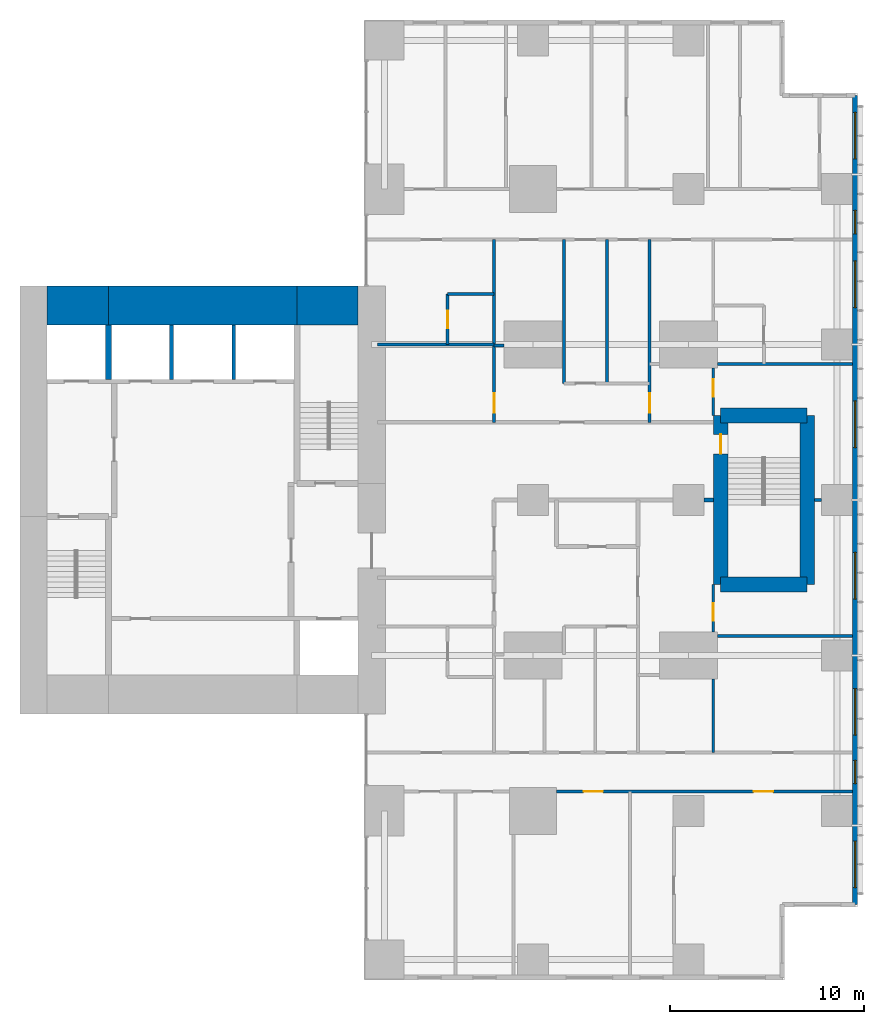
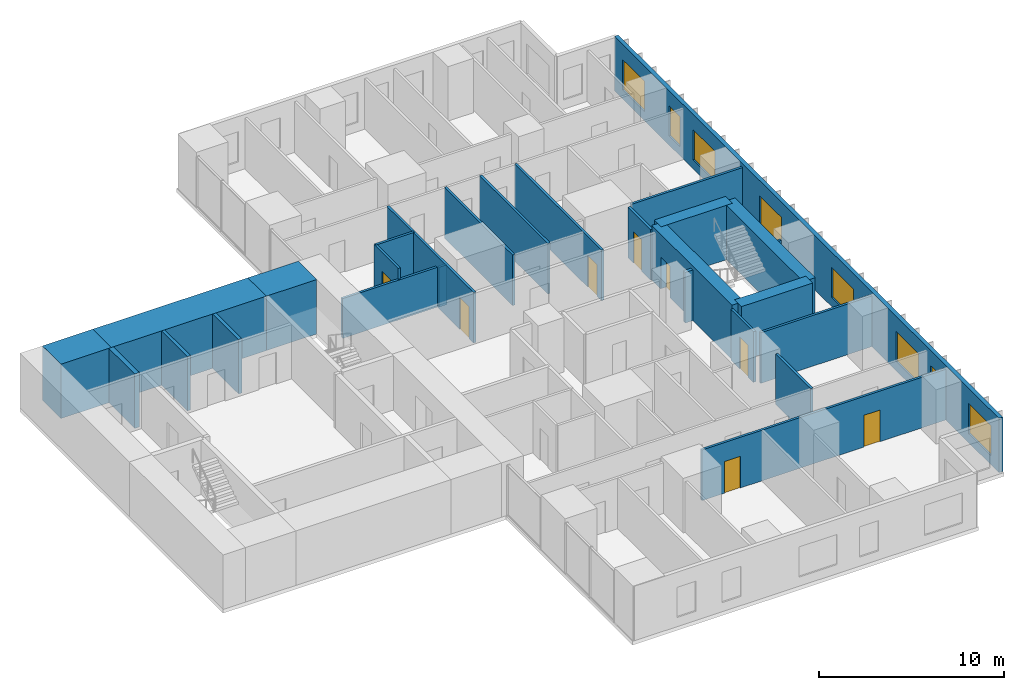
# One storey, part 9 of 12: 27 walls, 8 doors, 8 windows, 16 openings.
"""IFC4 building model written with IfcOpenShell, lengths in metres."""

from ifc_helpers import new_model, si_unit, direction, frame, frame_2d, origin, place, context, subcontext, project, spatial, rectangle, extrude, material, layer, layer_set, type_object, element, fill, save


model = new_model("IFC4")

# Units and contexts
model_context = context("Model", 3, precision=1e-05, world=origin(), true_north=direction((0.0, 1.0)))
body_context = subcontext(model_context, "Body", "Model", "MODEL_VIEW")
ifc_project = project(units=[si_unit("LENGTHUNIT", "METRE"), si_unit("AREAUNIT", "SQUARE_METRE"), si_unit("VOLUMEUNIT", "CUBIC_METRE"), si_unit("PLANEANGLEUNIT", "RADIAN"), si_unit("MASSUNIT", "GRAM", prefix="KILO")], contexts=[model_context])

# Site, building, storey
site_placement = place(None, origin())
site = spatial("IfcSite", under=ifc_project, at=site_placement, CompositionType="ELEMENT")
building_placement = place(site_placement, origin())
building = spatial("IfcBuilding", under=site, at=building_placement, Name="Cleftline Residences", CompositionType="ELEMENT")
storey_placement = place(building_placement, frame((0.0, 0.0, 234.0)))
storey = spatial("IfcBuildingStorey", under=building, at=storey_placement, Name="L61", CompositionType="ELEMENT", Elevation=234.0)

# Walls
ifc_material_1 = material(Name="Concrete B70", Category="concrete")
ifc_layer_1 = layer(ifc_material_1, 2.0)
ifc_layer_set_1 = layer_set([ifc_layer_1], Name="CORE WALL 2000")
wall_type_1 = type_object("IfcWallType", Name="CORE WALL 2000", PredefinedType="SHEAR", material=ifc_layer_set_1)
wall_1_placement = place(storey_placement, frame((25.0, 34.0, 0.0), z_axis=(0.0, 0.0, 1.0), x_axis=(1.0, 0.0, 0.0)))
element("IfcWall", 1, at=wall_1_placement, inside=storey, type_object=wall_type_1, Name="Core wall N1", PredefinedType="SHEAR", context=body_context, shape_type="SweptSolid", body=[
    extrude(rectangle(XDim=3.14990234375, YDim=2.0, at=frame_2d((1.574951171875, 0.0))), origin(), (0.0, 0.0, 1.0), 3.60009765625),
])
wall_2_placement = place(storey_placement, frame((28.14990234375, 34.0, 0.0), z_axis=(0.0, 0.0, 1.0), x_axis=(1.0, 0.0, 0.0)))
element("IfcWall", 2, at=wall_2_placement, inside=storey, type_object=wall_type_1, Name="Core wall N2", PredefinedType="SHEAR", context=body_context, shape_type="SweptSolid", body=[
    extrude(rectangle(XDim=9.7001953125, YDim=2.0, at=frame_2d((4.85009765625, 0.0))), origin(), (0.0, 0.0, 1.0), 3.60009765625),
])
wall_3_placement = place(storey_placement, frame((37.85009765625, 34.0, 0.0), z_axis=(0.0, 0.0, 1.0), x_axis=(1.0, 0.0, 0.0)))
element("IfcWall", 3, at=wall_3_placement, inside=storey, type_object=wall_type_1, Name="Core wall N3", PredefinedType="SHEAR", context=body_context, shape_type="SweptSolid", body=[
    extrude(rectangle(XDim=3.14990234375, YDim=2.0, at=frame_2d((1.574951171875, 0.0))), origin(), (0.0, 0.0, 1.0), 3.60009765625),
])
ifc_material_2 = material(Name="Concrete B70", Category="concrete")
ifc_layer_2 = layer(ifc_material_2, 0.300048828125)
ifc_layer_set_2 = layer_set([ifc_layer_2], Name="CORE WALL 300")
wall_type_2 = type_object("IfcWallType", Name="CORE WALL 300", PredefinedType="SHEAR", material=ifc_layer_set_2)
wall_4_placement = place(storey_placement, frame((28.14990234375, 30.199951171875, 0.0), z_axis=(0.0, 0.0, 1.0), x_axis=(0.0, 1.0, 0.0)))
element("IfcWall", 4, at=wall_4_placement, inside=storey, type_object=wall_type_2, Name="Lift shaft wall", PredefinedType="SHEAR", context=body_context, shape_type="SweptSolid", body=[
    extrude(rectangle(XDim=2.800048828125, YDim=0.300048828125, at=frame_2d((1.39990234375, 0.0))), origin(), (0.0, 0.0, 1.0), 3.60009765625),
])

# Wall, openings, windows
ifc_material_3 = material(Name="Rendered reinforced concrete blockwork", Category="masonry")
ifc_layer_3 = layer(ifc_material_3, 0.25)
ifc_layer_set_3 = layer_set([ifc_layer_3], Name="EXTERNAL WALL 250")
wall_type_3 = type_object("IfcWallType", Name="EXTERNAL WALL 250", PredefinedType="SOLIDWALL", material=ifc_layer_set_3)
wall_5_placement = place(storey_placement, frame((66.574951171875, 3.175048828125, 0.0), z_axis=(0.0, 0.0, 1.0), x_axis=(0.0, 1.0, 0.0)))
wall_5 = element("IfcWall", 5, at=wall_5_placement, inside=storey, type_object=wall_type_3, Name="External wall", PredefinedType="SOLIDWALL", context=body_context, shape_type="SweptSolid", body=[
    extrude(rectangle(XDim=41.64990234375, YDim=0.25, at=frame_2d((20.824951171875, 0.0))), origin(), (0.0, 0.0, 1.0), 3.60009765625),
])
opening_1_placement = place(wall_5_placement, frame((0.875, 0.0, 0.60009765625)))
opening_1 = element("IfcOpeningElement", 6, at=opening_1_placement, cuts=wall_5, Name="Opening W6", PredefinedType="OPENING", context=body_context, shape_type="SweptSolid", body=[
    extrude(rectangle(XDim=2.39990234375, YDim=2.0, at=frame_2d((1.199951171875, 1.0))), frame((0.0, 0.135009765625, 0.0), z_axis=(0.0, -1.0, 0.0), x_axis=(1.0, 0.0, 0.0)), (0.0, 0.0, 1.0), 0.27001953125),
])
opening_2_placement = place(wall_5_placement, frame((6.22509765625, 0.0, 0.60009765625)))
opening_2 = element("IfcOpeningElement", 7, at=opening_2_placement, cuts=wall_5, Name="Opening W8", PredefinedType="OPENING", context=body_context, shape_type="SweptSolid", body=[
    extrude(rectangle(XDim=1.199951171875, YDim=2.0, at=frame_2d((0.60009765625, 1.0))), frame((0.0, 0.135009765625, 0.0), z_axis=(0.0, -1.0, 0.0), x_axis=(1.0, 0.0, 0.0)), (0.0, 0.0, 1.0), 0.27001953125),
])
opening_3_placement = place(wall_5_placement, frame((8.72509765625, 0.0, 0.60009765625)))
opening_3 = element("IfcOpeningElement", 8, at=opening_3_placement, cuts=wall_5, Name="Opening W6", PredefinedType="OPENING", context=body_context, shape_type="SweptSolid", body=[
    extrude(rectangle(XDim=2.39990234375, YDim=2.0, at=frame_2d((1.199951171875, 1.0))), frame((0.0, 0.135009765625, 0.0), z_axis=(0.0, -1.0, 0.0), x_axis=(1.0, 0.0, 0.0)), (0.0, 0.0, 1.0), 0.27001953125),
])
opening_4_placement = place(wall_5_placement, frame((15.72509765625, 0.0, 0.60009765625)))
opening_4 = element("IfcOpeningElement", 9, at=opening_4_placement, cuts=wall_5, Name="Opening W6", PredefinedType="OPENING", context=body_context, shape_type="SweptSolid", body=[
    extrude(rectangle(XDim=2.39990234375, YDim=2.0, at=frame_2d((1.199951171875, 1.0))), frame((0.0, 0.135009765625, 0.0), z_axis=(0.0, -1.0, 0.0), x_axis=(1.0, 0.0, 0.0)), (0.0, 0.0, 1.0), 0.27001953125),
])
opening_5_placement = place(wall_5_placement, frame((23.52490234375, 0.0, 0.60009765625)))
opening_5 = element("IfcOpeningElement", 10, at=opening_5_placement, cuts=wall_5, Name="Opening W6", PredefinedType="OPENING", context=body_context, shape_type="SweptSolid", body=[
    extrude(rectangle(XDim=2.39990234375, YDim=2.0, at=frame_2d((1.199951171875, 1.0))), frame((0.0, 0.135009765625, 0.0), z_axis=(0.0, -1.0, 0.0), x_axis=(1.0, 0.0, 0.0)), (0.0, 0.0, 1.0), 0.27001953125),
])
opening_6_placement = place(wall_5_placement, frame((30.72509765625, 0.0, 0.60009765625)))
opening_6 = element("IfcOpeningElement", 11, at=opening_6_placement, cuts=wall_5, Name="Opening W6", PredefinedType="OPENING", context=body_context, shape_type="SweptSolid", body=[
    extrude(rectangle(XDim=2.39990234375, YDim=2.0, at=frame_2d((1.199951171875, 1.0))), frame((0.0, 0.135009765625, 0.0), z_axis=(0.0, -1.0, 0.0), x_axis=(1.0, 0.0, 0.0)), (0.0, 0.0, 1.0), 0.27001953125),
])
opening_7_placement = place(wall_5_placement, frame((34.52490234375, 0.0, 0.60009765625)))
opening_7 = element("IfcOpeningElement", 12, at=opening_7_placement, cuts=wall_5, Name="Opening W8", PredefinedType="OPENING", context=body_context, shape_type="SweptSolid", body=[
    extrude(rectangle(XDim=1.199951171875, YDim=2.0, at=frame_2d((0.60009765625, 1.0))), frame((0.0, 0.135009765625, 0.0), z_axis=(0.0, -1.0, 0.0), x_axis=(1.0, 0.0, 0.0)), (0.0, 0.0, 1.0), 0.27001953125),
])
opening_8_placement = place(wall_5_placement, frame((38.375, 0.0, 0.60009765625)))
opening_8 = element("IfcOpeningElement", 13, at=opening_8_placement, cuts=wall_5, Name="Opening W6", PredefinedType="OPENING", context=body_context, shape_type="SweptSolid", body=[
    extrude(rectangle(XDim=2.39990234375, YDim=2.0, at=frame_2d((1.199951171875, 1.0))), frame((0.0, 0.135009765625, 0.0), z_axis=(0.0, -1.0, 0.0), x_axis=(1.0, 0.0, 0.0)), (0.0, 0.0, 1.0), 0.27001953125),
])
ifc_material_4 = material(Name="Aluminium frame, clear double glazing", Category="aluminium")
window_type_1 = type_object("IfcWindowType", Name="WINDOW 1200X2000", PartitioningType="DOUBLE_PANEL_VERTICAL", PredefinedType="WINDOW", material=ifc_material_4)
window_1_placement = place(opening_2_placement, origin())
window_1 = element("IfcWindow", 14, at=window_1_placement, inside=storey, type_object=window_type_1, Name="Window", OverallHeight=2.0, OverallWidth=1.199951171875, PartitioningType="SINGLE_PANEL", PredefinedType="WINDOW", context=body_context, shape_type="SweptSolid", body=[
    extrude(rectangle(XDim=1.199951171875, YDim=2.0, at=frame_2d((0.60009765625, 1.0))), frame((0.0, 0.030029296875, 0.0), z_axis=(0.0, -1.0, 0.0), x_axis=(1.0, 0.0, 0.0)), (0.0, 0.0, 1.0), 0.06005859375),
])
fill(opening_2, window_1)
window_2_placement = place(opening_7_placement, origin())
window_2 = element("IfcWindow", 15, at=window_2_placement, inside=storey, type_object=window_type_1, Name="Window", OverallHeight=2.0, OverallWidth=1.199951171875, PartitioningType="SINGLE_PANEL", PredefinedType="WINDOW", context=body_context, shape_type="SweptSolid", body=[
    extrude(rectangle(XDim=1.199951171875, YDim=2.0, at=frame_2d((0.60009765625, 1.0))), frame((0.0, 0.030029296875, 0.0), z_axis=(0.0, -1.0, 0.0), x_axis=(1.0, 0.0, 0.0)), (0.0, 0.0, 1.0), 0.06005859375),
])
fill(opening_7, window_2)
ifc_material_5 = material(Name="Aluminium frame, clear double glazing", Category="aluminium")
window_type_2 = type_object("IfcWindowType", Name="WINDOW 2400X2000", PartitioningType="DOUBLE_PANEL_VERTICAL", PredefinedType="WINDOW", material=ifc_material_5)
window_3_placement = place(opening_1_placement, origin())
window_3 = element("IfcWindow", 16, at=window_3_placement, inside=storey, type_object=window_type_2, Name="Window", OverallHeight=2.0, OverallWidth=2.39990234375, PartitioningType="SINGLE_PANEL", PredefinedType="WINDOW", context=body_context, shape_type="SweptSolid", body=[
    extrude(rectangle(XDim=2.39990234375, YDim=2.0, at=frame_2d((1.199951171875, 1.0))), frame((0.0, 0.030029296875, 0.0), z_axis=(0.0, -1.0, 0.0), x_axis=(1.0, 0.0, 0.0)), (0.0, 0.0, 1.0), 0.06005859375),
])
fill(opening_1, window_3)
window_4_placement = place(opening_3_placement, origin())
window_4 = element("IfcWindow", 17, at=window_4_placement, inside=storey, type_object=window_type_2, Name="Window", OverallHeight=2.0, OverallWidth=2.39990234375, PartitioningType="SINGLE_PANEL", PredefinedType="WINDOW", context=body_context, shape_type="SweptSolid", body=[
    extrude(rectangle(XDim=2.39990234375, YDim=2.0, at=frame_2d((1.199951171875, 1.0))), frame((0.0, 0.030029296875, 0.0), z_axis=(0.0, -1.0, 0.0), x_axis=(1.0, 0.0, 0.0)), (0.0, 0.0, 1.0), 0.06005859375),
])
fill(opening_3, window_4)
window_5_placement = place(opening_4_placement, origin())
window_5 = element("IfcWindow", 18, at=window_5_placement, inside=storey, type_object=window_type_2, Name="Window", OverallHeight=2.0, OverallWidth=2.39990234375, PartitioningType="SINGLE_PANEL", PredefinedType="WINDOW", context=body_context, shape_type="SweptSolid", body=[
    extrude(rectangle(XDim=2.39990234375, YDim=2.0, at=frame_2d((1.199951171875, 1.0))), frame((0.0, 0.030029296875, 0.0), z_axis=(0.0, -1.0, 0.0), x_axis=(1.0, 0.0, 0.0)), (0.0, 0.0, 1.0), 0.06005859375),
])
fill(opening_4, window_5)
window_6_placement = place(opening_5_placement, origin())
window_6 = element("IfcWindow", 19, at=window_6_placement, inside=storey, type_object=window_type_2, Name="Window", OverallHeight=2.0, OverallWidth=2.39990234375, PartitioningType="SINGLE_PANEL", PredefinedType="WINDOW", context=body_context, shape_type="SweptSolid", body=[
    extrude(rectangle(XDim=2.39990234375, YDim=2.0, at=frame_2d((1.199951171875, 1.0))), frame((0.0, 0.030029296875, 0.0), z_axis=(0.0, -1.0, 0.0), x_axis=(1.0, 0.0, 0.0)), (0.0, 0.0, 1.0), 0.06005859375),
])
fill(opening_5, window_6)
window_7_placement = place(opening_6_placement, origin())
window_7 = element("IfcWindow", 20, at=window_7_placement, inside=storey, type_object=window_type_2, Name="Window", OverallHeight=2.0, OverallWidth=2.39990234375, PartitioningType="SINGLE_PANEL", PredefinedType="WINDOW", context=body_context, shape_type="SweptSolid", body=[
    extrude(rectangle(XDim=2.39990234375, YDim=2.0, at=frame_2d((1.199951171875, 1.0))), frame((0.0, 0.030029296875, 0.0), z_axis=(0.0, -1.0, 0.0), x_axis=(1.0, 0.0, 0.0)), (0.0, 0.0, 1.0), 0.06005859375),
])
fill(opening_6, window_7)
window_8_placement = place(opening_8_placement, origin())
window_8 = element("IfcWindow", 21, at=window_8_placement, inside=storey, type_object=window_type_2, Name="Window", OverallHeight=2.0, OverallWidth=2.39990234375, PartitioningType="SINGLE_PANEL", PredefinedType="WINDOW", context=body_context, shape_type="SweptSolid", body=[
    extrude(rectangle(XDim=2.39990234375, YDim=2.0, at=frame_2d((1.199951171875, 1.0))), frame((0.0, 0.030029296875, 0.0), z_axis=(0.0, -1.0, 0.0), x_axis=(1.0, 0.0, 0.0)), (0.0, 0.0, 1.0), 0.06005859375),
])
fill(opening_8, window_8)

# Wall
ifc_material_6 = material(Name="Concrete blockwork, fire rated", Category="masonry")
ifc_layer_4 = layer(ifc_material_6, 0.199951171875)
ifc_layer_set_4 = layer_set([ifc_layer_4], Name="FIRE WALL 200")
wall_type_4 = type_object("IfcWallType", Name="FIRE WALL 200", PredefinedType="PARTITIONING", material=ifc_layer_set_4)
wall_6_placement = place(storey_placement, frame((58.800048828125, 24.0, 0.0), z_axis=(0.0, 0.0, 1.0), x_axis=(1.0, 0.0, 0.0)))
element("IfcWall", 22, at=wall_6_placement, inside=storey, type_object=wall_type_4, Name="Fire separating wall", PredefinedType="PARTITIONING", context=body_context, shape_type="SweptSolid", body=[
    extrude(rectangle(XDim=0.474853515625, YDim=0.199951171875, at=frame_2d((0.2373046875, 0.0))), origin(), (0.0, 0.0, 1.0), 3.35009765625),
])

# Wall, openings, doors
ifc_material_7 = material(Name="Gypsum board on steel studs", Category="steel")
ifc_layer_5 = layer(ifc_material_7, 0.14990234375)
ifc_layer_set_5 = layer_set([ifc_layer_5], Name="PARTITION 150")
wall_type_5 = type_object("IfcWallType", Name="PARTITION 150", PredefinedType="PARTITIONING", material=ifc_layer_set_5)
wall_7_placement = place(storey_placement, frame((51.199951171875, 9.0, 0.0), z_axis=(0.0, 0.0, 1.0), x_axis=(1.0, 0.0, 0.0)))
wall_7 = element("IfcWall", 23, at=wall_7_placement, inside=storey, type_object=wall_type_5, Name="Partition", PredefinedType="PARTITIONING", context=body_context, shape_type="SweptSolid", body=[
    extrude(rectangle(XDim=15.25, YDim=0.14990234375, at=frame_2d((7.625, 0.0))), origin(), (0.0, 0.0, 1.0), 3.35009765625),
])
opening_9_placement = place(wall_7_placement, frame((10.14990234375, 0.0, 0.0)))
opening_9 = element("IfcOpeningElement", 24, at=opening_9_placement, cuts=wall_7, Name="Opening D2", PredefinedType="OPENING", context=body_context, shape_type="SweptSolid", body=[
    extrude(rectangle(XDim=1.0, YDim=2.10009765625, at=frame_2d((0.5, 1.050048828125))), frame((0.0, 0.0849609375, 0.0), z_axis=(0.0, -1.0, 0.0), x_axis=(1.0, 0.0, 0.0)), (0.0, 0.0, 1.0), 0.169921875),
])
opening_10_placement = place(wall_7_placement, frame((1.39990234375, 0.0, 0.0)))
opening_10 = element("IfcOpeningElement", 25, at=opening_10_placement, cuts=wall_7, Name="Opening D2", PredefinedType="OPENING", context=body_context, shape_type="SweptSolid", body=[
    extrude(rectangle(XDim=1.0, YDim=2.10009765625, at=frame_2d((0.5, 1.050048828125))), frame((0.0, 0.0849609375, 0.0), z_axis=(0.0, -1.0, 0.0), x_axis=(1.0, 0.0, 0.0)), (0.0, 0.0, 1.0), 0.169921875),
])
ifc_material_8 = material(Name="Timber veneer on solid core", Category="wood")
door_type_1 = type_object("IfcDoorType", Name="DOOR 1000X2100", OperationType="SINGLE_SWING_LEFT", PredefinedType="DOOR", material=ifc_material_8)
door_1_placement = place(opening_9_placement, origin())
door_1 = element("IfcDoor", 26, at=door_1_placement, inside=storey, type_object=door_type_1, Name="Door to sea-view living room", OperationType="SINGLE_SWING_LEFT", OverallHeight=2.10009765625, OverallWidth=1.0, PredefinedType="DOOR", context=body_context, shape_type="SweptSolid", body=[
    extrude(rectangle(XDim=1.0, YDim=2.10009765625, at=frame_2d((0.5, 1.050048828125))), frame((0.0, 0.02490234375, 0.0), z_axis=(0.0, -1.0, 0.0), x_axis=(1.0, 0.0, 0.0)), (0.0, 0.0, 1.0), 0.050048828125),
])
fill(opening_9, door_1)
door_2_placement = place(opening_10_placement, origin())
door_2 = element("IfcDoor", 27, at=door_2_placement, inside=storey, type_object=door_type_1, Name="Door to dining room", OperationType="SINGLE_SWING_RIGHT", OverallHeight=2.10009765625, OverallWidth=1.0, PredefinedType="DOOR", context=body_context, shape_type="SweptSolid", body=[
    extrude(rectangle(XDim=1.0, YDim=2.10009765625, at=frame_2d((0.5, 1.050048828125))), frame((0.0, 0.02490234375, 0.0), z_axis=(0.0, -1.0, 0.0), x_axis=(1.0, 0.0, 0.0)), (0.0, 0.0, 1.0), 0.050048828125),
])
fill(opening_10, door_2)

# Walls
wall_8_placement = place(storey_placement, frame((59.5, 17.0, 0.0), z_axis=(0.0, 0.0, 1.0), x_axis=(1.0, 0.0, 0.0)))
element("IfcWall", 28, at=wall_8_placement, inside=storey, type_object=wall_type_5, Name="Partition", PredefinedType="PARTITIONING", context=body_context, shape_type="SweptSolid", body=[
    extrude(rectangle(XDim=6.949951171875, YDim=0.14990234375, at=frame_2d((3.47509765625, 0.0))), origin(), (0.0, 0.0, 1.0), 3.35009765625),
])
wall_9_placement = place(storey_placement, frame((64.47509765625, 24.0, 0.0), z_axis=(0.0, 0.0, 1.0), x_axis=(1.0, 0.0, 0.0)))
element("IfcWall", 29, at=wall_9_placement, inside=storey, type_object=wall_type_5, Name="Partition", PredefinedType="PARTITIONING", context=body_context, shape_type="SweptSolid", body=[
    extrude(rectangle(XDim=0.375, YDim=0.14990234375, at=frame_2d((0.1875, 0.0))), origin(), (0.0, 0.0, 1.0), 3.35009765625),
])
wall_10_placement = place(storey_placement, frame((59.5, 31.0, 0.0), z_axis=(0.0, 0.0, 1.0), x_axis=(1.0, 0.0, 0.0)))
element("IfcWall", 30, at=wall_10_placement, inside=storey, type_object=wall_type_5, Name="Partition", PredefinedType="PARTITIONING", context=body_context, shape_type="SweptSolid", body=[
    extrude(rectangle(XDim=6.949951171875, YDim=0.14990234375, at=frame_2d((3.47509765625, 0.0))), origin(), (0.0, 0.0, 1.0), 3.35009765625),
])
wall_11_placement = place(storey_placement, frame((48.0, 31.949951171875, 0.0), z_axis=(0.0, 0.0, 1.0), x_axis=(1.0, 0.0, 0.0)))
element("IfcWall", 31, at=wall_11_placement, inside=storey, type_object=wall_type_5, Name="Partition", PredefinedType="PARTITIONING", context=body_context, shape_type="SweptSolid", body=[
    extrude(rectangle(XDim=0.5, YDim=0.14990234375, at=frame_2d((0.25, 0.0))), origin(), (0.0, 0.0, 1.0), 2.634033203125),
])
wall_12_placement = place(storey_placement, frame((42.0, 32.0, 0.0), z_axis=(0.0, 0.0, 1.0), x_axis=(1.0, 0.0, 0.0)))
element("IfcWall", 32, at=wall_12_placement, inside=storey, type_object=wall_type_5, Name="Partition", PredefinedType="PARTITIONING", context=body_context, shape_type="SweptSolid", body=[
    extrude(rectangle(XDim=6.0, YDim=0.14990234375, at=frame_2d((3.0, 0.0))), origin(), (0.0, 0.0, 1.0), 2.634033203125),
])
wall_13_placement = place(storey_placement, frame((45.60009765625, 34.60009765625, 0.0), z_axis=(0.0, 0.0, 1.0), x_axis=(1.0, 0.0, 0.0)))
element("IfcWall", 33, at=wall_13_placement, inside=storey, type_object=wall_type_5, Name="Partition", PredefinedType="PARTITIONING", context=body_context, shape_type="SweptSolid", body=[
    extrude(rectangle(XDim=2.39990234375, YDim=0.14990234375, at=frame_2d((1.199951171875, 0.0))), origin(), (0.0, 0.0, 1.0), 3.35009765625),
])

# Wall, opening, door
wall_14_placement = place(storey_placement, frame((45.60009765625, 32.0, 0.0), z_axis=(0.0, 0.0, 1.0), x_axis=(0.0, 1.0, 0.0)))
wall_14 = element("IfcWall", 34, at=wall_14_placement, inside=storey, type_object=wall_type_5, Name="Partition", PredefinedType="PARTITIONING", context=body_context, shape_type="SweptSolid", body=[
    extrude(rectangle(XDim=2.60009765625, YDim=0.14990234375, at=frame_2d((1.300048828125, 0.0))), origin(), (0.0, 0.0, 1.0), 3.35009765625),
])
opening_11_placement = place(wall_14_placement, frame((0.85009765625, 0.0, 0.0)))
opening_11 = element("IfcOpeningElement", 35, at=opening_11_placement, cuts=wall_14, Name="Opening D1", PredefinedType="OPENING", context=body_context, shape_type="SweptSolid", body=[
    extrude(rectangle(XDim=0.89990234375, YDim=2.10009765625, at=frame_2d((0.449951171875, 1.050048828125))), frame((0.0, 0.0849609375, 0.0), z_axis=(0.0, -1.0, 0.0), x_axis=(1.0, 0.0, 0.0)), (0.0, 0.0, 1.0), 0.169921875),
])
ifc_material_9 = material(Name="Timber veneer on solid core", Category="wood")
door_type_2 = type_object("IfcDoorType", Name="DOOR 900X2100", OperationType="SINGLE_SWING_LEFT", PredefinedType="DOOR", material=ifc_material_9)
door_3_placement = place(opening_11_placement, origin())
door_3 = element("IfcDoor", 36, at=door_3_placement, inside=storey, type_object=door_type_2, Name="Door to en-suite bathroom 5", OperationType="SINGLE_SWING_LEFT", OverallHeight=2.10009765625, OverallWidth=0.89990234375, PredefinedType="DOOR", context=body_context, shape_type="SweptSolid", body=[
    extrude(rectangle(XDim=0.89990234375, YDim=2.10009765625, at=frame_2d((0.449951171875, 1.050048828125))), frame((0.0, 0.02490234375, 0.0), z_axis=(0.0, -1.0, 0.0), x_axis=(1.0, 0.0, 0.0)), (0.0, 0.0, 1.0), 0.050048828125),
])
fill(opening_11, door_3)

wall_15_placement = place(storey_placement, frame((48.0, 28.0, 0.0), z_axis=(0.0, 0.0, 1.0), x_axis=(0.0, 1.0, 0.0)))
wall_15 = element("IfcWall", 37, at=wall_15_placement, inside=storey, type_object=wall_type_5, Name="Partition", PredefinedType="PARTITIONING", context=body_context, shape_type="SweptSolid", body=[
    extrude(rectangle(XDim=9.39990234375, YDim=0.14990234375, at=frame_2d((4.699951171875, 0.0))), origin(), (0.0, 0.0, 1.0), 3.35009765625),
])
opening_12_placement = place(wall_15_placement, frame((0.5, 0.0, 0.0)))
opening_12 = element("IfcOpeningElement", 38, at=opening_12_placement, cuts=wall_15, Name="Opening D2", PredefinedType="OPENING", context=body_context, shape_type="SweptSolid", body=[
    extrude(rectangle(XDim=1.0, YDim=2.10009765625, at=frame_2d((0.5, 1.050048828125))), frame((0.0, 0.0849609375, 0.0), z_axis=(0.0, -1.0, 0.0), x_axis=(1.0, 0.0, 0.0)), (0.0, 0.0, 1.0), 0.169921875),
])
door_4_placement = place(opening_12_placement, origin())
door_4 = element("IfcDoor", 39, at=door_4_placement, inside=storey, type_object=door_type_1, Name="Door to morning kitchen", OperationType="SINGLE_SWING_RIGHT", OverallHeight=2.10009765625, OverallWidth=1.0, PredefinedType="DOOR", context=body_context, shape_type="SweptSolid", body=[
    extrude(rectangle(XDim=1.0, YDim=2.10009765625, at=frame_2d((0.5, 1.050048828125))), frame((0.0, 0.02490234375, 0.0), z_axis=(0.0, -1.0, 0.0), x_axis=(1.0, 0.0, 0.0)), (0.0, 0.0, 1.0), 0.050048828125),
])
fill(opening_12, door_4)

# Walls
for number, where, z_axis, x_axis, name in (
    (40, (51.60009765625, 30.0, 0.0), (0.0, 0.0, 1.0), (0.0, 1.0, 0.0), "Partition"),
    (41, (53.800048828125, 30.0, 0.0), (0.0, 0.0, 1.0), (0.0, 1.0, 0.0), "Partition"),
):
    element("IfcWall", number, at=place(storey_placement, frame(where, z_axis=z_axis, x_axis=x_axis)), inside=storey, type_object=wall_type_5, Name=name, PredefinedType="PARTITIONING", context=body_context, shape_type="SweptSolid", body=[
        extrude(rectangle(XDim=7.39990234375, YDim=0.14990234375, at=frame_2d((3.699951171875, 0.0))), origin(), (0.0, 0.0, 1.0), 3.35009765625),
    ])

# Wall, opening, door
wall_16_placement = place(storey_placement, frame((56.0, 28.0, 0.0), z_axis=(0.0, 0.0, 1.0), x_axis=(0.0, 1.0, 0.0)))
wall_16 = element("IfcWall", 42, at=wall_16_placement, inside=storey, type_object=wall_type_5, Name="Partition", PredefinedType="PARTITIONING", context=body_context, shape_type="SweptSolid", body=[
    extrude(rectangle(XDim=9.39990234375, YDim=0.14990234375, at=frame_2d((4.699951171875, 0.0))), origin(), (0.0, 0.0, 1.0), 3.35009765625),
])
opening_13_placement = place(wall_16_placement, frame((0.5, 0.0, 0.0)))
opening_13 = element("IfcOpeningElement", 43, at=opening_13_placement, cuts=wall_16, Name="Opening D2F30", PredefinedType="OPENING", context=body_context, shape_type="SweptSolid", body=[
    extrude(rectangle(XDim=1.0, YDim=2.10009765625, at=frame_2d((0.5, 1.050048828125))), frame((0.0, 0.0849609375, 0.0), z_axis=(0.0, -1.0, 0.0), x_axis=(1.0, 0.0, 0.0)), (0.0, 0.0, 1.0), 0.169921875),
])
ifc_material_10 = material(Name="Timber veneer on solid core", Category="wood")
door_type_3 = type_object("IfcDoorType", Name="DOOR 1000X2100 EI 30", OperationType="SINGLE_SWING_LEFT", PredefinedType="DOOR", material=ifc_material_10)
door_5_placement = place(opening_13_placement, origin())
door_5 = element("IfcDoor", 44, at=door_5_placement, inside=storey, type_object=door_type_3, Name="Door to residence lobby (service)", OperationType="SINGLE_SWING_RIGHT", OverallHeight=2.10009765625, OverallWidth=1.0, PredefinedType="DOOR", context=body_context, shape_type="SweptSolid", body=[
    extrude(rectangle(XDim=1.0, YDim=2.10009765625, at=frame_2d((0.5, 1.050048828125))), frame((0.0, 0.02490234375, 0.0), z_axis=(0.0, -1.0, 0.0), x_axis=(1.0, 0.0, 0.0)), (0.0, 0.0, 1.0), 0.050048828125),
])
fill(opening_13, door_5)

# Wall
wall_17_placement = place(storey_placement, frame((59.27490234375, 11.0, 0.0), z_axis=(0.0, 0.0, 1.0), x_axis=(0.0, 1.0, 0.0)))
element("IfcWall", 45, at=wall_17_placement, inside=storey, type_object=wall_type_5, Name="Partition", PredefinedType="PARTITIONING", context=body_context, shape_type="SweptSolid", body=[
    extrude(rectangle(XDim=3.800048828125, YDim=0.14990234375, at=frame_2d((1.89990234375, 0.0))), origin(), (0.0, 0.0, 1.0), 3.35009765625),
])

# Wall, opening, door
wall_18_placement = place(storey_placement, frame((59.27490234375, 17.199951171875, 0.0), z_axis=(0.0, 0.0, 1.0), x_axis=(0.0, 1.0, 0.0)))
wall_18 = element("IfcWall", 46, at=wall_18_placement, inside=storey, type_object=wall_type_5, Name="Partition", PredefinedType="PARTITIONING", context=body_context, shape_type="SweptSolid", body=[
    extrude(rectangle(XDim=2.449951171875, YDim=0.14990234375, at=frame_2d((1.22509765625, 0.0))), origin(), (0.0, 0.0, 1.0), 3.35009765625),
])
opening_14_placement = place(wall_18_placement, frame((0.58740234375, 0.0, 0.0)))
opening_14 = element("IfcOpeningElement", 47, at=opening_14_placement, cuts=wall_18, Name="Opening D1", PredefinedType="OPENING", context=body_context, shape_type="SweptSolid", body=[
    extrude(rectangle(XDim=0.89990234375, YDim=2.10009765625, at=frame_2d((0.449951171875, 1.050048828125))), frame((0.0, 0.0849609375, 0.0), z_axis=(0.0, -1.0, 0.0), x_axis=(1.0, 0.0, 0.0)), (0.0, 0.0, 1.0), 0.169921875),
])
door_6_placement = place(opening_14_placement, origin())
door_6 = element("IfcDoor", 48, at=door_6_placement, inside=storey, type_object=door_type_2, Name="Door to drying loggia", OperationType="SINGLE_SWING_RIGHT", OverallHeight=2.10009765625, OverallWidth=0.89990234375, PredefinedType="DOOR", context=body_context, shape_type="SweptSolid", body=[
    extrude(rectangle(XDim=0.89990234375, YDim=2.10009765625, at=frame_2d((0.449951171875, 1.050048828125))), frame((0.0, 0.02490234375, 0.0), z_axis=(0.0, -1.0, 0.0), x_axis=(1.0, 0.0, 0.0)), (0.0, 0.0, 1.0), 0.050048828125),
])
fill(opening_14, door_6)

wall_19_placement = place(storey_placement, frame((59.27490234375, 28.35009765625, 0.0), z_axis=(0.0, 0.0, 1.0), x_axis=(0.0, 1.0, 0.0)))
wall_19 = element("IfcWall", 49, at=wall_19_placement, inside=storey, type_object=wall_type_5, Name="Partition", PredefinedType="PARTITIONING", context=body_context, shape_type="SweptSolid", body=[
    extrude(rectangle(XDim=2.449951171875, YDim=0.14990234375, at=frame_2d((1.22509765625, 0.0))), origin(), (0.0, 0.0, 1.0), 3.35009765625),
])
opening_15_placement = place(wall_19_placement, frame((0.96240234375, 0.0, 0.0)))
opening_15 = element("IfcOpeningElement", 50, at=opening_15_placement, cuts=wall_19, Name="Opening D1", PredefinedType="OPENING", context=body_context, shape_type="SweptSolid", body=[
    extrude(rectangle(XDim=0.89990234375, YDim=2.10009765625, at=frame_2d((0.449951171875, 1.050048828125))), frame((0.0, 0.0849609375, 0.0), z_axis=(0.0, -1.0, 0.0), x_axis=(1.0, 0.0, 0.0)), (0.0, 0.0, 1.0), 0.169921875),
])
door_7_placement = place(opening_15_placement, origin())
door_7 = element("IfcDoor", 51, at=door_7_placement, inside=storey, type_object=door_type_2, Name="Door to master dressing room", OperationType="SINGLE_SWING_LEFT", OverallHeight=2.10009765625, OverallWidth=0.89990234375, PredefinedType="DOOR", context=body_context, shape_type="SweptSolid", body=[
    extrude(rectangle(XDim=0.89990234375, YDim=2.10009765625, at=frame_2d((0.449951171875, 1.050048828125))), frame((0.0, 0.02490234375, 0.0), z_axis=(0.0, -1.0, 0.0), x_axis=(1.0, 0.0, 0.0)), (0.0, 0.0, 1.0), 0.050048828125),
])
fill(opening_15, door_7)

# Walls
ifc_material_11 = material(Name="Concrete blockwork, fire rated", Category="masonry")
ifc_layer_6 = layer(ifc_material_11, 0.199951171875)
ifc_layer_set_6 = layer_set([ifc_layer_6], Name="SHAFT WALL 200")
wall_type_6 = type_object("IfcWallType", Name="SHAFT WALL 200", PredefinedType="PARTITIONING", material=ifc_layer_set_6)
for number, where, z_axis, x_axis, name in (
    (52, (31.39990234375, 30.199951171875, 0.0), (0.0, 0.0, 1.0), (0.0, 1.0, 0.0), "Lift shaft wall"),
    (53, (34.60009765625, 30.199951171875, 0.0), (0.0, 0.0, 1.0), (0.0, 1.0, 0.0), "Lift shaft wall"),
):
    element("IfcWall", number, at=place(storey_placement, frame(where, z_axis=z_axis, x_axis=x_axis)), inside=storey, type_object=wall_type_6, Name=name, PredefinedType="PARTITIONING", context=body_context, shape_type="SweptSolid", body=[
        extrude(rectangle(XDim=2.800048828125, YDim=0.199951171875, at=frame_2d((1.39990234375, 0.0))), origin(), (0.0, 0.0, 1.0), 3.60009765625),
    ])
ifc_material_12 = material(Name="Concrete B70", Category="concrete")
ifc_layer_7 = layer(ifc_material_12, 0.75)
ifc_layer_set_7 = layer_set([ifc_layer_7], Name="SHEAR WALL 750")
wall_type_7 = type_object("IfcWallType", Name="SHEAR WALL 750", PredefinedType="SHEAR", material=ifc_layer_set_7)
wall_20_placement = place(storey_placement, frame((59.64990234375, 19.64990234375, 0.0), z_axis=(0.0, 0.0, 1.0), x_axis=(1.0, 0.0, 0.0)))
element("IfcWall", 54, at=wall_20_placement, inside=storey, type_object=wall_type_7, Name="Wing shear wall", PredefinedType="SHEAR", context=body_context, shape_type="SweptSolid", body=[
    extrude(rectangle(XDim=4.4501953125, YDim=0.75, at=frame_2d((2.22509765625, 0.0))), origin(), (0.0, 0.0, 1.0), 3.60009765625),
])
wall_21_placement = place(storey_placement, frame((64.10009765625, 19.64990234375, 0.0), z_axis=(0.0, 0.0, 1.0), x_axis=(0.0, 1.0, 0.0)))
element("IfcWall", 55, at=wall_21_placement, inside=storey, type_object=wall_type_7, Name="Wing shear wall", PredefinedType="SHEAR", context=body_context, shape_type="SweptSolid", body=[
    extrude(rectangle(XDim=8.7001953125, YDim=0.75, at=frame_2d((4.35009765625, 0.0))), origin(), (0.0, 0.0, 1.0), 3.60009765625),
])
wall_22_placement = place(storey_placement, frame((64.10009765625, 28.35009765625, 0.0), z_axis=(0.0, 0.0, 1.0), x_axis=(-1.0, 0.0, 0.0)))
element("IfcWall", 56, at=wall_22_placement, inside=storey, type_object=wall_type_7, Name="Wing shear wall", PredefinedType="SHEAR", context=body_context, shape_type="SweptSolid", body=[
    extrude(rectangle(XDim=4.4501953125, YDim=0.75, at=frame_2d((2.22509765625, 0.0))), origin(), (0.0, 0.0, 1.0), 3.60009765625),
])

# Wall, opening, door
wall_23_placement = place(storey_placement, frame((59.64990234375, 28.35009765625, 0.0), z_axis=(0.0, 0.0, 1.0), x_axis=(0.0, -1.0, 0.0)))
wall_23 = element("IfcWall", 57, at=wall_23_placement, inside=storey, type_object=wall_type_7, Name="Wing shear wall", PredefinedType="SHEAR", context=body_context, shape_type="SweptSolid", body=[
    extrude(rectangle(XDim=8.7001953125, YDim=0.75, at=frame_2d((4.35009765625, 0.0))), origin(), (0.0, 0.0, 1.0), 3.60009765625),
])
opening_16_placement = place(wall_23_placement, frame((0.97509765625, 0.0, 0.0)))
opening_16 = element("IfcOpeningElement", 58, at=opening_16_placement, cuts=wall_23, Name="Opening D5", PredefinedType="OPENING", context=body_context, shape_type="SweptSolid", body=[
    extrude(rectangle(XDim=1.0, YDim=2.10009765625, at=frame_2d((0.5, 1.050048828125))), frame((0.0, 0.385009765625, 0.0), z_axis=(0.0, -1.0, 0.0), x_axis=(1.0, 0.0, 0.0)), (0.0, 0.0, 1.0), 0.77001953125),
])
ifc_material_13 = material(Name="Steel", Category="steel")
door_type_4 = type_object("IfcDoorType", Name="STAIR DOOR 1000X2100", OperationType="SINGLE_SWING_LEFT", PredefinedType="DOOR", material=ifc_material_13)
door_8_placement = place(opening_16_placement, origin())
door_8 = element("IfcDoor", 59, at=door_8_placement, inside=storey, type_object=door_type_4, Name="Stair E door", OperationType="SINGLE_SWING_RIGHT", OverallHeight=2.10009765625, OverallWidth=1.0, PredefinedType="DOOR", context=body_context, shape_type="SweptSolid", body=[
    extrude(rectangle(XDim=1.0, YDim=2.10009765625, at=frame_2d((0.5, 1.050048828125))), frame((0.0, 0.02490234375, 0.0), z_axis=(0.0, -1.0, 0.0), x_axis=(1.0, 0.0, 0.0)), (0.0, 0.0, 1.0), 0.050048828125),
])
fill(opening_16, door_8)

save(model, "model.ifc")
